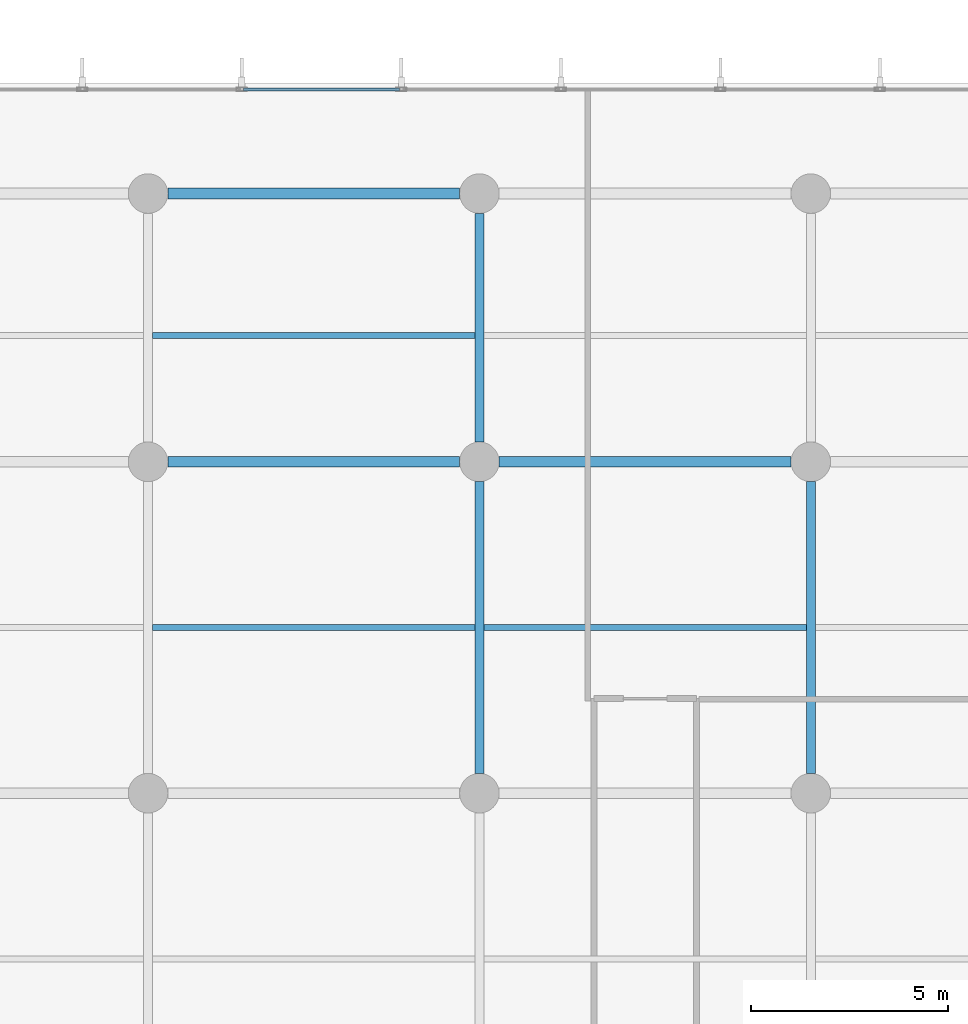
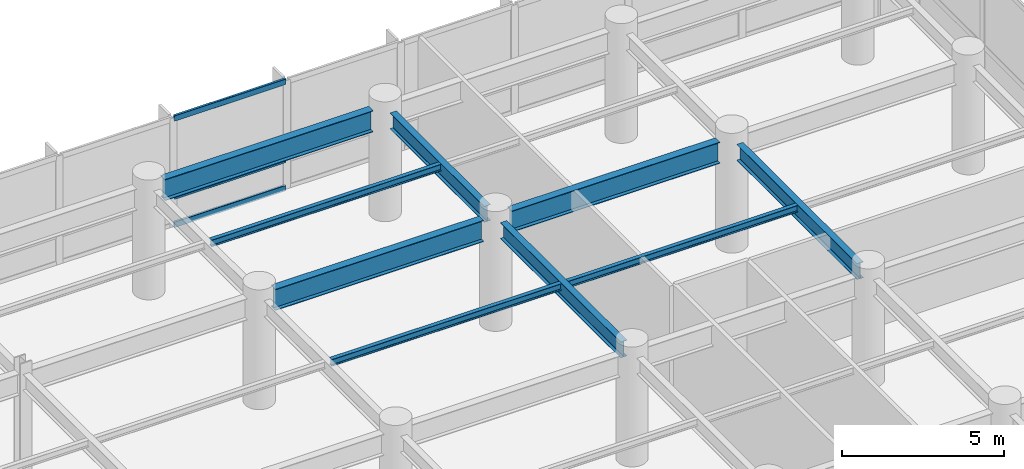
# One storey, part 10 of 23: 9 beams, 3 members, 1 element without a shape of its own.
"""IFC4 building model written with IfcOpenShell, lengths in metres."""

from ifc_helpers import new_model, si_unit, direction, frame, origin, origin_2d, place, context, subcontext, project, spatial, hollow_rectangle, i_section, extrude, material, layer, layer_set, material_profile, profile_set, type_object, element, aggregate, save


model = new_model("IFC4")

# Units and contexts
model_context = context("Model", 3, precision=1e-05, world=origin(), true_north=direction((0.0, 1.0)))
body_context = subcontext(model_context, "Body", "Model", "MODEL_VIEW")
ifc_project = project(units=[si_unit("LENGTHUNIT", "METRE"), si_unit("AREAUNIT", "SQUARE_METRE"), si_unit("VOLUMEUNIT", "CUBIC_METRE"), si_unit("PLANEANGLEUNIT", "RADIAN"), si_unit("MASSUNIT", "GRAM", prefix="KILO")], contexts=[model_context])

# Site, building, storey
site_placement = place(None, origin())
site = spatial("IfcSite", under=ifc_project, at=site_placement, CompositionType="ELEMENT")
building_placement = place(site_placement, origin())
building = spatial("IfcBuilding", under=site, at=building_placement, Name="Varnakote Quay Hospital", CompositionType="ELEMENT")
storey_placement = place(building_placement, frame((0.0, 0.0, 18.0)))
storey = spatial("IfcBuildingStorey", under=building, at=storey_placement, Name="L04", CompositionType="ELEMENT", Elevation=18.0)

# Beams
ifc_material_1 = material(Name="Structural steel AS/NZS 3679.1 Grade 350 L0 (fy 340 MPa)", Category="steel")
ifc_material_profile_1 = material_profile(ifc_material_1, i_section(OverallWidth=0.22802734375, OverallDepth=0.60205078125, WebThickness=0.010498046875, FlangeThickness=0.014892578125, FilletRadius=0.013916015625, at=origin_2d()), Name="610UB101")
ifc_profile_set_1 = profile_set([ifc_material_profile_1], Name="Structural steel AS/NZS 3679.1 Grade 350 L0 (fy 340 MPa)")
beam_type_1 = type_object("IfcBeamType", Name="BM-STL-610UB101", PredefinedType="BEAM", material=ifc_profile_set_1)
beam_1_placement = place(storey_placement, frame((67.199951171875, 29.300048828125, 3.779052734375), z_axis=(0.0, 1.0, 0.0), x_axis=(-1.0, 0.0, 0.0)))
element("IfcBeam", 1, at=beam_1_placement, inside=storey, type_object=beam_type_1, Name="L04 Primary Tie Beam", PredefinedType="BEAM", context=body_context, shape_type="SweptSolid", body=[
    extrude(i_section(OverallWidth=0.22802734375, OverallDepth=0.60205078125, WebThickness=0.010498046875, FlangeThickness=0.014892578125, FilletRadius=0.013916015625, at=origin_2d()), origin(), (0.0, 0.0, 1.0), 7.39990234375),
])
beam_2_placement = place(storey_placement, frame((67.199951171875, 37.699951171875, 3.779052734375), z_axis=(0.0, 1.0, 0.0), x_axis=(-1.0, 0.0, 0.0)))
element("IfcBeam", 2, at=beam_2_placement, inside=storey, type_object=beam_type_1, Name="L04 Primary Tie Beam", PredefinedType="BEAM", context=body_context, shape_type="SweptSolid", body=[
    extrude(i_section(OverallWidth=0.22802734375, OverallDepth=0.60205078125, WebThickness=0.010498046875, FlangeThickness=0.014892578125, FilletRadius=0.013916015625, at=origin_2d()), origin(), (0.0, 0.0, 1.0), 5.800048828125),
])
beam_3_placement = place(storey_placement, frame((75.60009765625, 29.300048828125, 3.779052734375), z_axis=(0.0, 1.0, 0.0), x_axis=(-1.0, 0.0, 0.0)))
element("IfcBeam", 3, at=beam_3_placement, inside=storey, type_object=beam_type_1, Name="L04 Primary Tie Beam", PredefinedType="BEAM", context=body_context, shape_type="SweptSolid", body=[
    extrude(i_section(OverallWidth=0.22802734375, OverallDepth=0.60205078125, WebThickness=0.010498046875, FlangeThickness=0.014892578125, FilletRadius=0.013916015625, at=origin_2d()), origin(), (0.0, 0.0, 1.0), 7.39990234375),
])
ifc_material_2 = material(Name="Structural steel AS/NZS 3678 Grade 350 (fy 340 MPa)", Category="steel")
ifc_material_profile_2 = material_profile(ifc_material_2, i_section(OverallWidth=0.27490234375, OverallDepth=0.800048828125, WebThickness=0.010009765625, FlangeThickness=0.02001953125, at=origin_2d()), Name="800WB146")
ifc_profile_set_2 = profile_set([ifc_material_profile_2], Name="Structural steel AS/NZS 3678 Grade 350 (fy 340 MPa)")
beam_type_2 = type_object("IfcBeamType", Name="BM-STL-800WB146", PredefinedType="BEAM", material=ifc_profile_set_2)
beam_4_placement = place(storey_placement, frame((59.300048828125, 37.199951171875, 3.679931640625), z_axis=(1.0, 0.0, 0.0), x_axis=(0.0, 1.0, 0.0)))
element("IfcBeam", 4, at=beam_4_placement, inside=storey, type_object=beam_type_2, Name="L04 Plated Composite Transfer Beam", PredefinedType="BEAM", context=body_context, shape_type="SweptSolid", body=[
    extrude(i_section(OverallWidth=0.27490234375, OverallDepth=0.800048828125, WebThickness=0.010009765625, FlangeThickness=0.02001953125, at=origin_2d()), origin(), (0.0, 0.0, 1.0), 7.39990234375),
])
beam_5_placement = place(storey_placement, frame((67.699951171875, 37.199951171875, 3.679931640625), z_axis=(1.0, 0.0, 0.0), x_axis=(0.0, 1.0, 0.0)))
element("IfcBeam", 5, at=beam_5_placement, inside=storey, type_object=beam_type_2, Name="L04 Plated Composite Transfer Beam", PredefinedType="BEAM", context=body_context, shape_type="SweptSolid", body=[
    extrude(i_section(OverallWidth=0.27490234375, OverallDepth=0.800048828125, WebThickness=0.010009765625, FlangeThickness=0.02001953125, at=origin_2d()), origin(), (0.0, 0.0, 1.0), 7.400146484375),
])
beam_6_placement = place(storey_placement, frame((59.300048828125, 44.0, 3.679931640625), z_axis=(1.0, 0.0, 0.0), x_axis=(0.0, 1.0, 0.0)))
element("IfcBeam", 6, at=beam_6_placement, inside=storey, type_object=beam_type_2, Name="L04 Plated Composite Transfer Beam", PredefinedType="BEAM", context=body_context, shape_type="SweptSolid", body=[
    extrude(i_section(OverallWidth=0.27490234375, OverallDepth=0.800048828125, WebThickness=0.010009765625, FlangeThickness=0.02001953125, at=origin_2d()), origin(), (0.0, 0.0, 1.0), 7.39990234375),
])

# Curtain wall, members
ifc_material_3 = material(Name="Anodised aluminium 6063-T6 Bronze", Category="aluminium")
ifc_layer = layer(ifc_material_3, 0.175048828125)
ifc_layer_set = layer_set([ifc_layer], Name="Anodised aluminium 6063-T6 Bronze")
curtain_wall_type = type_object("IfcCurtainWallType", Name="CW-SYS-1", PredefinedType="NOTDEFINED", material=ifc_layer_set)
curtain_wall_placement = place(storey_placement, origin())
curtain_wall = element("IfcCurtainWall", 7, at=curtain_wall_placement, inside=storey, type_object=curtain_wall_type, Name="L04 Unitised Bronze Curtain Wall 2", PredefinedType="NOTDEFINED")
ifc_material_4 = material(Name="Anodised aluminium 6063-T6 Bronze", Category="aluminium")
ifc_material_profile_3 = material_profile(ifc_material_4, hollow_rectangle(XDim=0.0849609375, YDim=0.2099609375, WallThickness=0.00439453125, InnerFilletRadius=0.00439453125, OuterFilletRadius=0.009033203125, at=origin_2d()), Name="CW-TRAN-210x85")
ifc_profile_set_3 = profile_set([ifc_material_profile_3], Name="Anodised aluminium 6063-T6 Bronze")
member_type = type_object("IfcMemberType", Name="CW-TRAN-210x85", PredefinedType="USERDEFINED", material=ifc_profile_set_3)
member_1_placement = place(storey_placement, frame((65.179931640625, 46.639892578125, 0.04248046875), z_axis=(-1.0, 0.0, 0.0), x_axis=(0.0, -1.0, 0.0)))
member_1 = element("IfcMember", 8, at=member_1_placement, type_object=member_type, Name="-1-L04-2 transom 6.1", ObjectType="TRANSOM", PredefinedType="USERDEFINED", context=body_context, shape_type="SweptSolid", body=[
    extrude(hollow_rectangle(XDim=0.0849609375, YDim=0.2099609375, WallThickness=0.00439453125, InnerFilletRadius=0.00439453125, OuterFilletRadius=0.009033203125, at=origin_2d()), origin(), (0.0, 0.0, 1.0), 3.95849609375),
])
member_2_placement = place(storey_placement, frame((65.179931640625, 46.639892578125, 1.10009765625), z_axis=(-1.0, 0.0, 0.0), x_axis=(0.0, -1.0, 0.0)))
member_2 = element("IfcMember", 9, at=member_2_placement, type_object=member_type, Name="-1-L04-2 transom 6.2", ObjectType="TRANSOM", PredefinedType="USERDEFINED", context=body_context, shape_type="SweptSolid", body=[
    extrude(hollow_rectangle(XDim=0.0849609375, YDim=0.2099609375, WallThickness=0.00439453125, InnerFilletRadius=0.00439453125, OuterFilletRadius=0.009033203125, at=origin_2d()), origin(), (0.0, 0.0, 1.0), 3.95849609375),
])
member_3_placement = place(storey_placement, frame((65.179931640625, 46.639892578125, 4.03759765625), z_axis=(-1.0, 0.0, 0.0), x_axis=(0.0, -1.0, 0.0)))
member_3 = element("IfcMember", 10, at=member_3_placement, type_object=member_type, Name="-1-L04-2 transom 6.3", ObjectType="TRANSOM", PredefinedType="USERDEFINED", context=body_context, shape_type="SweptSolid", body=[
    extrude(hollow_rectangle(XDim=0.0849609375, YDim=0.2099609375, WallThickness=0.00439453125, InnerFilletRadius=0.00439453125, OuterFilletRadius=0.009033203125, at=origin_2d()), origin(), (0.0, 0.0, 1.0), 3.95849609375),
])
aggregate(curtain_wall, [member_1, member_2, member_3])

# Beams
ifc_material_5 = material(Name="Structural steel AS/NZS 3679.1 Grade 350 L0 (fy 340 MPa)", Category="steel")
ifc_material_profile_4 = material_profile(ifc_material_5, i_section(OverallWidth=0.14599609375, OverallDepth=0.256103515625, WebThickness=0.00634765625, FlangeThickness=0.010986328125, FilletRadius=0.0087890625, at=origin_2d()), Name="250UB37.3")
ifc_profile_set_4 = profile_set([ifc_material_profile_4], Name="Structural steel AS/NZS 3679.1 Grade 350 L0 (fy 340 MPa)")
beam_type_3 = type_object("IfcBeamType", Name="JST-STL-250UB37-3", PredefinedType="JOIST", material=ifc_profile_set_4)
beam_7_placement = place(storey_placement, frame((58.9140625, 33.0, 3.951904296875), z_axis=(1.0, 0.0, 0.0), x_axis=(0.0, 1.0, 0.0)))
element("IfcBeam", 11, at=beam_7_placement, inside=storey, type_object=beam_type_3, Name="L04 Composite Floor Joist", PredefinedType="JOIST", context=body_context, shape_type="SweptSolid", body=[
    extrude(i_section(OverallWidth=0.14599609375, OverallDepth=0.256103515625, WebThickness=0.00634765625, FlangeThickness=0.010986328125, FilletRadius=0.0087890625, at=origin_2d()), origin(), (0.0, 0.0, 1.0), 8.171875),
])
beam_8_placement = place(storey_placement, frame((67.31396484375, 33.0, 3.951904296875), z_axis=(1.0, 0.0, 0.0), x_axis=(0.0, 1.0, 0.0)))
element("IfcBeam", 12, at=beam_8_placement, inside=storey, type_object=beam_type_3, Name="L04 Composite Floor Joist", PredefinedType="JOIST", context=body_context, shape_type="SweptSolid", body=[
    extrude(i_section(OverallWidth=0.14599609375, OverallDepth=0.256103515625, WebThickness=0.00634765625, FlangeThickness=0.010986328125, FilletRadius=0.0087890625, at=origin_2d()), origin(), (0.0, 0.0, 1.0), 8.172119140625),
])
beam_9_placement = place(storey_placement, frame((58.9140625, 40.39990234375, 3.951904296875), z_axis=(1.0, 0.0, 0.0), x_axis=(0.0, 1.0, 0.0)))
element("IfcBeam", 13, at=beam_9_placement, inside=storey, type_object=beam_type_3, Name="L04 Composite Floor Joist", PredefinedType="JOIST", context=body_context, shape_type="SweptSolid", body=[
    extrude(i_section(OverallWidth=0.14599609375, OverallDepth=0.256103515625, WebThickness=0.00634765625, FlangeThickness=0.010986328125, FilletRadius=0.0087890625, at=origin_2d()), origin(), (0.0, 0.0, 1.0), 8.171875),
])

save(model, "model.ifc")
